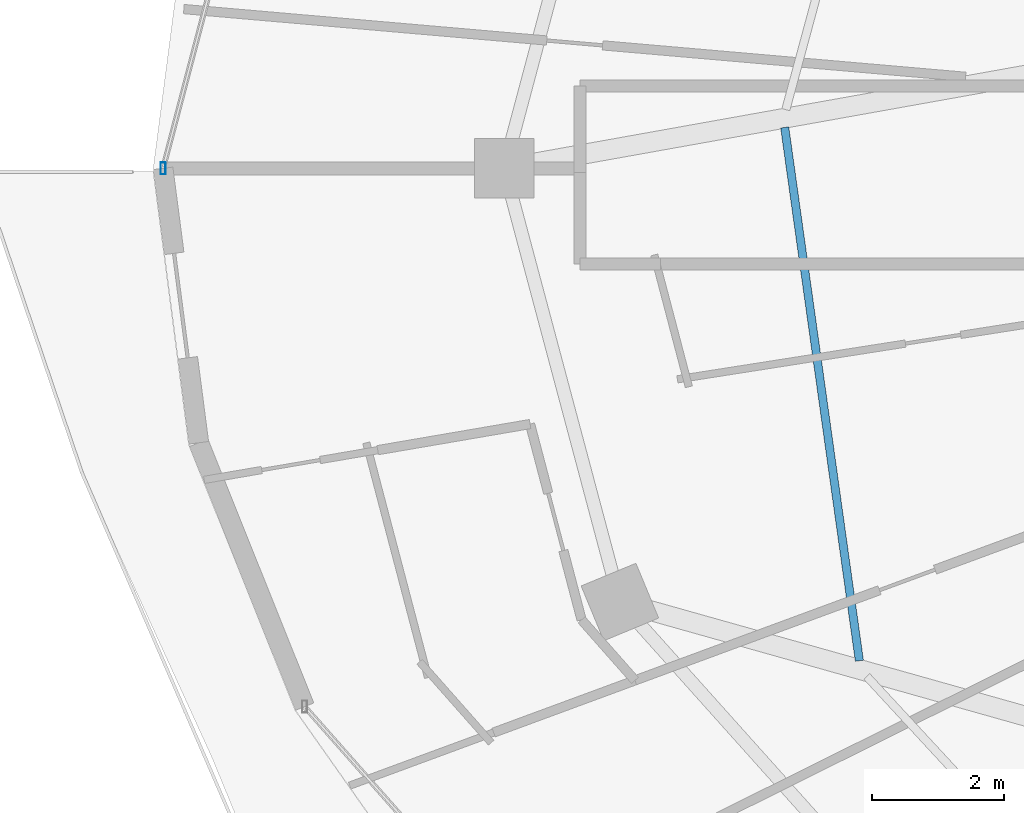
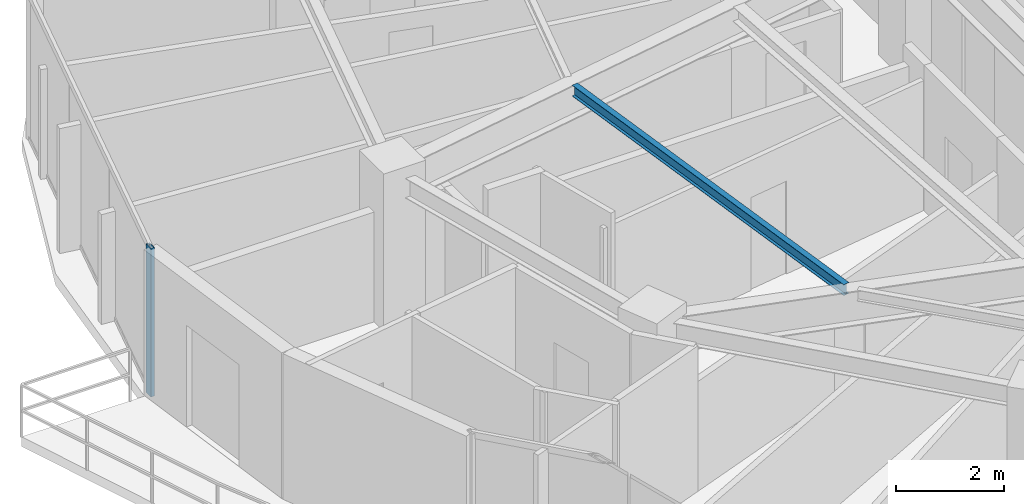
# One storey, part 7 of 32: 1 beam, 1 member, 1 element without a shape of its own.
"""IFC4 building model written with IfcOpenShell, lengths in metres."""

from ifc_helpers import new_model, si_unit, direction, frame, origin, origin_2d, place, context, subcontext, project, spatial, hollow_rectangle, i_section, extrude, material, material_profile, profile_set, type_object, element, aggregate, save


model = new_model("IFC4")

# Units and contexts
model_context = context("Model", 3, precision=1e-05, world=origin(), true_north=direction((0.0, 1.0)))
body_context = subcontext(model_context, "Body", "Model", "MODEL_VIEW")
ifc_project = project(units=[si_unit("LENGTHUNIT", "METRE"), si_unit("AREAUNIT", "SQUARE_METRE"), si_unit("VOLUMEUNIT", "CUBIC_METRE"), si_unit("PLANEANGLEUNIT", "RADIAN"), si_unit("MASSUNIT", "GRAM", prefix="KILO")], contexts=[model_context])

# Site, building, storey
site_placement = place(None, origin())
site = spatial("IfcSite", under=ifc_project, at=site_placement, CompositionType="ELEMENT")
building_placement = place(site_placement, origin())
building = spatial("IfcBuilding", under=site, at=building_placement, Name="Vorneva Point Tower", CompositionType="ELEMENT")
storey_placement = place(building_placement, frame((0.0, 0.0, 207.199951171875)))
storey = spatial("IfcBuildingStorey", under=building, at=storey_placement, Name="L56", CompositionType="ELEMENT", Elevation=207.199951171875)

# Beam
ifc_material_1 = material(Name="Steel S355", Category="steel")
ifc_material_profile_1 = material_profile(ifc_material_1, i_section(OverallWidth=0.1240234375, OverallDepth=0.248046875, WebThickness=0.0048828125, FlangeThickness=0.008056640625, at=origin_2d()), Name="25B1")
ifc_profile_set_1 = profile_set([ifc_material_profile_1], Name="Steel S355")
beam_type = type_object("IfcBeamType", Name="BM-JST-25B1", PredefinedType="JOIST", material=ifc_profile_set_1)
beam_placement = place(storey_placement, frame((19.20654296875, 26.62109375, 3.166015625), z_axis=(0.138644329347, -0.990342238794, 0.0), x_axis=(0.990342238794, 0.138644329347, 0.0)))
element("IfcBeam", 1, at=beam_placement, inside=storey, type_object=beam_type, Name="L56 Secondary Floor Beam 1.09", PredefinedType="JOIST", context=body_context, shape_type="SweptSolid", body=[
    extrude(i_section(OverallWidth=0.1240234375, OverallDepth=0.248046875, WebThickness=0.0048828125, FlangeThickness=0.008056640625, at=origin_2d()), origin(), (0.0, 0.0, 1.0), 8.174072265625),
])

# Curtain wall, member
ifc_material_2 = material(Name="Pale anodised aluminium", Category="aluminium")
curtain_wall_type = type_object("IfcCurtainWallType", Name="CW-RES-SYS", PredefinedType="NOTDEFINED", material=ifc_material_2)
curtain_wall_placement = place(storey_placement, origin())
curtain_wall = element("IfcCurtainWall", 2, at=curtain_wall_placement, inside=storey, type_object=curtain_wall_type, Name="L56 Unitised Curtain Wall CW-L56-R02", PredefinedType="NOTDEFINED")
ifc_material_profile_2 = material_profile(ifc_material_2, hollow_rectangle(XDim=0.074951171875, YDim=0.179931640625, WallThickness=0.00390625, at=origin_2d()), Name="AL-MUL 180x75x4")
ifc_profile_set_2 = profile_set([ifc_material_profile_2], Name="Pale anodised aluminium")
member_type = type_object("IfcMemberType", Name="CW-MUL-180", PredefinedType="MULLION", material=ifc_profile_set_2)
member_placement = place(storey_placement, frame((9.77001953125, 26.0, -0.0400390625), z_axis=(0.0, 0.0, 1.0), x_axis=(1.0, 0.0, 0.0)))
member = element("IfcMember", 3, at=member_placement, type_object=member_type, Name="CW-L56-R02 Mullion 03", PredefinedType="MULLION", context=body_context, shape_type="SweptSolid", body=[
    extrude(hollow_rectangle(XDim=0.074951171875, YDim=0.179931640625, WallThickness=0.00390625, at=origin_2d()), origin(), (0.0, 0.0, 1.0), 3.360107421875),
])
aggregate(curtain_wall, [member])

save(model, "model.ifc")
